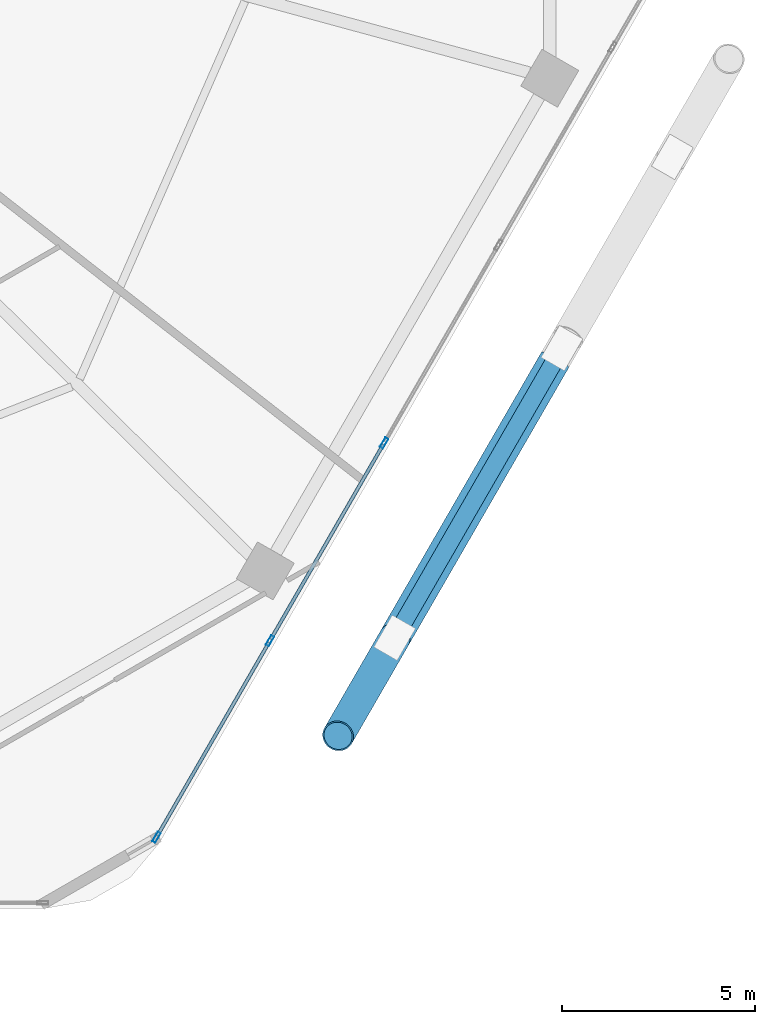
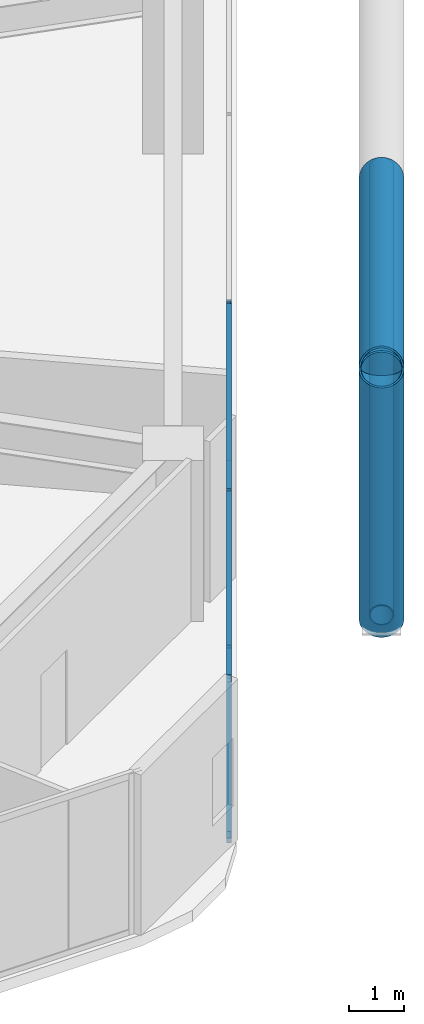
# One storey, part 9 of 34: 10 members, 1 element without a shape of its own.
"""IFC4 building model written with IfcOpenShell, lengths in metres."""

import ifcopenshell
import ifcopenshell.guid

model = None  # the IFC model being written
_history = None  # IfcOwnerHistory: only IFC2X3 demands one
_inside = {}  # id of a spatial element -> (the spatial element, [elements in it])
_under = {}  # id of a project, library or spatial element -> (it, [spatial elements below it])
_declared = {}  # id of a project -> (the project, [libraries it declares])
_typed = {}  # id of a type object -> (the type object, [elements of that type])
_made_of = {}  # id of a material, layer set ... -> (it, [elements and type objects made of it])


def new_model(schema):
    """Start an empty IFC model of exactly this schema.

    Asked for "IFC4X3", IfcOpenShell would pick the latest addendum, in which some entities
    have other attributes; the version numbers below select the first issue.
    IFC2X3 requires an IfcOwnerHistory on every rooted entity: one is made here for all.
    """
    global model, _history
    if schema == "IFC4X3":
        model = ifcopenshell.file(schema_version=(4, 3, 0, 0))
    else:
        model = ifcopenshell.file(schema=schema)
    _inside.clear()
    _under.clear()
    _declared.clear()
    _typed.clear()
    _made_of.clear()
    _history = None
    if model.schema == "IFC2X3":
        org = make("IfcOrganization", Name="unknown")
        user = make(
            "IfcPersonAndOrganization",
            ThePerson=make("IfcPerson", FamilyName="unknown"),
            TheOrganization=org,
        )
        app = make(
            "IfcApplication",
            ApplicationDeveloper=org,
            Version="unknown",
            ApplicationFullName="unknown",
            ApplicationIdentifier="unknown",
        )
        _history = make(
            "IfcOwnerHistory",
            OwningUser=user,
            OwningApplication=app,
            ChangeAction="ADDED",
            CreationDate=0,
        )
    return model


def make(cls, **values):
    """One entity of the class cls with the attributes given. An attribute that is None is left unset."""
    return model.create_entity(
        cls, **{name: value for name, value in values.items() if value is not None}
    )


def rooted(cls, **values):
    """An entity with a GlobalId (a new one), such as an element, a storey or a relation."""
    return make(cls, GlobalId=ifcopenshell.guid.new(), OwnerHistory=_history, **values)


def si_unit(unit_type, name, prefix=None):
    """IfcSIUnit, for example si_unit("LENGTHUNIT", "METRE", prefix="MILLI")."""
    return make("IfcSIUnit", UnitType=unit_type, Prefix=prefix, Name=name)


def assignment(units):
    """IfcUnitAssignment: the units of a project."""
    return None if units is None else make("IfcUnitAssignment", Units=units)


def point(xyz):
    """IfcCartesianPoint."""
    return None if xyz is None else make("IfcCartesianPoint", Coordinates=xyz)


def direction(xyz):
    """IfcDirection."""
    return None if xyz is None else make("IfcDirection", DirectionRatios=xyz)


def frame(location, z_axis=None, x_axis=None):
    """IfcAxis2Placement3D, a coordinate frame: its origin and axes. An axis left out is left unset."""
    return make(
        "IfcAxis2Placement3D",
        Location=point(location),
        Axis=direction(z_axis),
        RefDirection=direction(x_axis),
    )


def frame_2d(location, x_axis=None):
    """IfcAxis2Placement2D, a coordinate frame in the plane: its origin and x axis."""
    return make(
        "IfcAxis2Placement2D", Location=point(location), RefDirection=direction(x_axis)
    )


def origin():
    """The frame at (0, 0, 0) with its axes left unset."""
    return frame((0.0, 0.0, 0.0))


def origin_2d():
    """The frame at (0, 0) in the plane with its x axis left unset."""
    return frame_2d((0.0, 0.0))


def place(relative_to, where):
    """IfcLocalPlacement: puts the frame where relative to a parent placement (None: the world)."""
    return make(
        "IfcLocalPlacement", PlacementRelTo=relative_to, RelativePlacement=where
    )


def context(
    kind, dimensions, precision=None, world=None, true_north=None, identifier=None
):
    """IfcGeometricRepresentationContext, for example the 3D "Model" context."""
    return make(
        "IfcGeometricRepresentationContext",
        ContextIdentifier=identifier,
        ContextType=kind,
        CoordinateSpaceDimension=dimensions,
        Precision=precision,
        WorldCoordinateSystem=world,
        TrueNorth=true_north,
    )


def subcontext(parent, identifier, kind, view, scale=None):
    """IfcGeometricRepresentationSubContext, for example "Body" below "Model"."""
    return make(
        "IfcGeometricRepresentationSubContext",
        ContextIdentifier=identifier,
        ContextType=kind,
        ParentContext=parent,
        TargetScale=scale,
        TargetView=view,
    )


def project(units=None, contexts=None):
    """IfcProject with its units and contexts."""
    return rooted(
        "IfcProject",
        Name="project",
        RepresentationContexts=contexts,
        UnitsInContext=assignment(units),
    )


def spatial(cls, under=None, at=None, **own):
    """A site, building, storey or space (cls), placed at a placement, below another one or the project."""
    s = rooted(cls, ObjectPlacement=at, **own)
    if under is not None:
        _under.setdefault(under.id(), (under, []))[1].append(s)
    return s


def profile(cls, at=None, kind="AREA", **sizes):
    """A parametric profile (cls). Its sizes go by their IFC names, for example OverallWidth=200.0."""
    return make(cls, ProfileType=kind, Position=at, **sizes)


def hollow_rectangle(**sizes):
    """IfcRectangleHollowProfileDef."""
    return profile("IfcRectangleHollowProfileDef", **sizes)


def hollow_circle(**sizes):
    """IfcCircleHollowProfileDef."""
    return profile("IfcCircleHollowProfileDef", **sizes)


def extrude(swept, where, along, depth):
    """IfcExtrudedAreaSolid: the profile swept, set in the frame where, extruded along a direction by depth."""
    return make(
        "IfcExtrudedAreaSolid",
        SweptArea=swept,
        Position=where,
        ExtrudedDirection=direction(along),
        Depth=depth,
    )


def shape(context_of_items, identifier, shape_type, items):
    """IfcShapeRepresentation: the items that make up one representation, for example the "Body"."""
    return make(
        "IfcShapeRepresentation",
        ContextOfItems=context_of_items,
        RepresentationIdentifier=identifier,
        RepresentationType=shape_type,
        Items=items,
    )


def material(Name=None, Category=None):
    """IfcMaterial."""
    return make("IfcMaterial", Name=Name, Category=Category)


def material_profile(
    of_material, cross_section, Name=None, Category=None, Priority=None
):
    """IfcMaterialProfile: a cross section and its material."""
    return make(
        "IfcMaterialProfile",
        Name=Name,
        Material=of_material,
        Profile=cross_section,
        Priority=Priority,
        Category=Category,
    )


def profile_set(profiles, Name=None, composite=None):
    """IfcMaterialProfileSet."""
    return make(
        "IfcMaterialProfileSet",
        Name=Name,
        MaterialProfiles=profiles,
        CompositeProfile=composite,
    )


def made_of(thing, what):
    """Note that an element or type object is made of a material, layer set ...; save() writes the relation."""
    if what is not None:
        _made_of.setdefault(what.id(), (what, []))[1].append(thing)
    return thing


def type_object(cls, material=None, **own):
    """A type object (cls), such as IfcWallType, which elements share."""
    return made_of(rooted(cls, **own), material)


def element(
    cls,
    number,
    at=None,
    inside=None,
    cuts=None,
    type_object=None,
    material=None,
    context=None,
    identifier="Body",
    shape_type=None,
    held_by="IfcProductDefinitionShape",
    body=None,
    shapes=None,
    **own,
):
    """One element of the class cls, such as IfcWall. Its Tag is "e" and its number.

    at: its placement. inside: the storey or other place that contains it. cuts: it is an
    opening in that element (IfcRelVoidsElement). A single representation is given by context,
    identifier, shape_type and body (its items); several are given by shapes. held_by: the class
    of the entity that holds the representations. save() writes the other relations.
    """
    e = rooted(cls, Tag="e%d" % number, ObjectPlacement=at, **own)
    if body is not None:
        shapes = [shape(context, identifier, shape_type, body)]
    if shapes is not None:
        e.Representation = make(held_by, Representations=shapes)
    if inside is not None:
        _inside.setdefault(inside.id(), (inside, []))[1].append(e)
    if cuts is not None:
        rooted(
            "IfcRelVoidsElement", RelatingBuildingElement=cuts, RelatedOpeningElement=e
        )
    if type_object is not None:
        _typed.setdefault(type_object.id(), (type_object, []))[1].append(e)
    return made_of(e, material)


def aggregate(whole, parts):
    """IfcRelAggregates: a whole, such as a stair, and the parts it consists of."""
    return rooted("IfcRelAggregates", RelatingObject=whole, RelatedObjects=parts)


def save(model, path):
    """Write the relations noted so far, then the file.

    IfcRelAggregates (storeys below a building ...), IfcRelContainedInSpatialStructure (elements
    in a storey), IfcRelDefinesByType, IfcRelAssociatesMaterial and IfcRelDeclares: one each for
    every whole, place, type object, material and project.
    """
    for whole, parts in _under.values():
        aggregate(whole, parts)
    for where, things in _inside.values():
        rooted(
            "IfcRelContainedInSpatialStructure",
            RelatedElements=things,
            RelatingStructure=where,
        )
    for kind, things in _typed.values():
        rooted("IfcRelDefinesByType", RelatedObjects=things, RelatingType=kind)
    for what, things in _made_of.values():
        rooted("IfcRelAssociatesMaterial", RelatedObjects=things, RelatingMaterial=what)
    for by, libraries in _declared.values():
        rooted("IfcRelDeclares", RelatingContext=by, RelatedDefinitions=libraries)
    model.write(path)


model = new_model("IFC4")

# Units and contexts
model_context = context("Model", 3, precision=1e-05, world=origin(), true_north=direction((0.0, 1.0)))
body_context = subcontext(model_context, "Body", "Model", "MODEL_VIEW")
ifc_project = project(units=[si_unit("LENGTHUNIT", "METRE"), si_unit("AREAUNIT", "SQUARE_METRE"), si_unit("VOLUMEUNIT", "CUBIC_METRE"), si_unit("PLANEANGLEUNIT", "RADIAN"), si_unit("MASSUNIT", "GRAM", prefix="KILO")], contexts=[model_context])

# Site, building, storey
site_placement = place(None, origin())
site = spatial("IfcSite", under=ifc_project, at=site_placement, CompositionType="ELEMENT")
building_placement = place(site_placement, origin())
building = spatial("IfcBuilding", under=site, at=building_placement, Name="Zuhravey Tower", CompositionType="ELEMENT")
storey_placement = place(building_placement, frame((0.0, 0.0, 100.0)))
storey = spatial("IfcBuildingStorey", under=building, at=storey_placement, Name="L24", CompositionType="ELEMENT", Elevation=100.0)

# Curtain wall, members
ifc_material_1 = material(Name="Thermally broken anodised aluminium", Category="aluminium")
curtain_wall_type = type_object("IfcCurtainWallType", Name="Zone 1-2 Residential Curtain Wall CW3", PredefinedType="NOTDEFINED", material=ifc_material_1)
curtain_wall_placement = place(storey_placement, origin())
curtain_wall = element("IfcCurtainWall", 1, at=curtain_wall_placement, inside=storey, type_object=curtain_wall_type, Name="L24 CW3 CW-L24-F6-1", PredefinedType="NOTDEFINED")
ifc_material_2 = material(Name="Anodised aluminium", Category="aluminium")
ifc_material_profile_1 = material_profile(ifc_material_2, hollow_rectangle(XDim=0.090087890625, YDim=0.284912109375, WallThickness=0.0048828125, at=origin_2d()), Name="ALU-RHS-90x285x5")
ifc_profile_set_1 = profile_set([ifc_material_profile_1], Name="Anodised aluminium")
member_type_1 = type_object("IfcMemberType", Name="Curtain-Wall Mullion 90x180", PredefinedType="MULLION", material=ifc_profile_set_1)
member_1_placement = place(storey_placement, frame((59.598876953125, 14.95751953125, 0.0), z_axis=(0.0, 0.0, 1.0), x_axis=(0.86602552265, -0.499999794119, 0.0)))
member_1 = element("IfcMember", 2, at=member_1_placement, type_object=member_type_1, Name="CW3 mullion 4", PredefinedType="MULLION", context=body_context, shape_type="SweptSolid", body=[
    extrude(hollow_rectangle(XDim=0.090087890625, YDim=0.284912109375, WallThickness=0.0048828125, at=origin_2d()), origin(), (0.0, 0.0, 1.0), 3.550048828125),
])
member_2_placement = place(storey_placement, frame((56.638916015625, 9.830810546875, 0.0), z_axis=(0.0, 0.0, 1.0), x_axis=(0.86602552265, -0.499999794119, 0.0)))
member_2 = element("IfcMember", 3, at=member_2_placement, type_object=member_type_1, Name="CW3 mullion 5", PredefinedType="MULLION", context=body_context, shape_type="SweptSolid", body=[
    extrude(hollow_rectangle(XDim=0.090087890625, YDim=0.284912109375, WallThickness=0.0048828125, at=origin_2d()), origin(), (0.0, 0.0, 1.0), 3.550048828125),
])
member_3_placement = place(storey_placement, frame((53.701416015625, 4.742919921875, 0.0), z_axis=(0.0, 0.0, 1.0), x_axis=(0.86602552265, -0.499999794119, 0.0)))
member_3 = element("IfcMember", 4, at=member_3_placement, type_object=member_type_1, Name="CW3 mullion 6", PredefinedType="MULLION", context=body_context, shape_type="SweptSolid", body=[
    extrude(hollow_rectangle(XDim=0.090087890625, YDim=0.284912109375, WallThickness=0.0048828125, at=origin_2d()), origin(), (0.0, 0.0, 1.0), 3.550048828125),
])
ifc_material_profile_2 = material_profile(ifc_material_2, hollow_rectangle(XDim=0.090087890625, YDim=0.14990234375, WallThickness=0.0048828125, at=origin_2d()), Name="ALU-RHS-90x150x5")
ifc_profile_set_2 = profile_set([ifc_material_profile_2], Name="Anodised aluminium")
member_type_2 = type_object("IfcMemberType", Name="Curtain-Wall Transom 90x150", PredefinedType="USERDEFINED", material=ifc_profile_set_2)
member_4_placement = place(storey_placement, frame((59.576416015625, 14.91845703125, 0.044921875), z_axis=(-0.500012451049, -0.866018215049, 0.0), x_axis=(0.866018215049, -0.500012451049, 0.0)))
member_4 = element("IfcMember", 5, at=member_4_placement, type_object=member_type_2, Name="CW3 transom 4.1", ObjectType="TRANSOM", PredefinedType="USERDEFINED", context=body_context, shape_type="SweptSolid", body=[
    extrude(hollow_rectangle(XDim=0.090087890625, YDim=0.14990234375, WallThickness=0.0048828125, at=origin_2d()), origin(), (0.0, 0.0, 1.0), 5.829833984375),
])
member_5_placement = place(storey_placement, frame((59.576416015625, 14.91845703125, 3.5048828125), z_axis=(-0.500012451049, -0.866018215049, 0.0), x_axis=(0.866018215049, -0.500012451049, 0.0)))
member_5 = element("IfcMember", 6, at=member_5_placement, type_object=member_type_2, Name="CW3 transom 4.2", ObjectType="TRANSOM", PredefinedType="USERDEFINED", context=body_context, shape_type="SweptSolid", body=[
    extrude(hollow_rectangle(XDim=0.090087890625, YDim=0.14990234375, WallThickness=0.0048828125, at=origin_2d()), origin(), (0.0, 0.0, 1.0), 5.829833984375),
])
member_6_placement = place(storey_placement, frame((56.616455078125, 9.791748046875, 0.044921875), z_axis=(-0.499992798144, -0.866029561738, 0.0), x_axis=(0.866029561738, -0.499992798144, 0.0)))
member_6 = element("IfcMember", 7, at=member_6_placement, type_object=member_type_2, Name="CW3 transom 5.1", ObjectType="TRANSOM", PredefinedType="USERDEFINED", context=body_context, shape_type="SweptSolid", body=[
    extrude(hollow_rectangle(XDim=0.090087890625, YDim=0.14990234375, WallThickness=0.0048828125, at=origin_2d()), origin(), (0.0, 0.0, 1.0), 5.78466796875),
])
member_7_placement = place(storey_placement, frame((56.616455078125, 9.791748046875, 3.5048828125), z_axis=(-0.499992798144, -0.866029561738, 0.0), x_axis=(0.866029561738, -0.499992798144, 0.0)))
member_7 = element("IfcMember", 8, at=member_7_placement, type_object=member_type_2, Name="CW3 transom 5.2", ObjectType="TRANSOM", PredefinedType="USERDEFINED", context=body_context, shape_type="SweptSolid", body=[
    extrude(hollow_rectangle(XDim=0.090087890625, YDim=0.14990234375, WallThickness=0.0048828125, at=origin_2d()), origin(), (0.0, 0.0, 1.0), 5.78466796875),
])
aggregate(curtain_wall, [member_1, member_2, member_3, member_4, member_5, member_6, member_7])

# Members
ifc_material_3 = material(Name="Steel SM355", Category="steel")
ifc_material_profile_3 = material_profile(ifc_material_3, hollow_circle(Radius=0.228515625, WallThickness=0.02197265625, at=origin_2d()), Name="CHS-457.2x22")
ifc_profile_set_3 = profile_set([ifc_material_profile_3], Name="Steel SM355")
member_type_3 = type_object("IfcMemberType", Name="Exoskeleton Ring Tie CHS457x22", PredefinedType="CHORD", material=ifc_profile_set_3)
member_8_placement = place(storey_placement, frame((59.942138671875, 10.031982421875, -0.464111328125), z_axis=(0.499995593262, 0.866027948001, 0.0), x_axis=(-0.866027948001, 0.499995593262, 0.0)))
element("IfcMember", 9, at=member_8_placement, inside=storey, type_object=member_type_3, Name="L24 Exoskeleton Face 6 Tie EXR1", PredefinedType="CHORD", context=body_context, shape_type="SweptSolid", body=[
    extrude(hollow_circle(Radius=0.228515625, WallThickness=0.02197265625, at=origin_2d()), origin(), (0.0, 0.0, 1.0), 14.107666015625),
])
ifc_material_4 = material(Name="Steel SM460", Category="steel")
ifc_material_profile_4 = material_profile(ifc_material_4, hollow_circle(Radius=0.406494140625, WallThickness=0.035888671875, at=origin_2d()), Name="CHS-812.8x36")
ifc_profile_set_4 = profile_set([ifc_material_profile_4], Name="Steel SM460")
member_type_4 = type_object("IfcMemberType", Name="Exoskeleton Zone 1 Diagrid CHS813x36", PredefinedType="BRACE", material=ifc_profile_set_4)
member_9_placement = place(storey_placement, frame((59.867919921875, 9.9033203125, -0.44189453125), z_axis=(-0.180574288521, -0.312728273078, 0.932520216158), x_axis=(0.866000778371, -0.500042650041, 0.0)))
element("IfcMember", 10, at=member_9_placement, inside=storey, type_object=member_type_4, Name="L24 Face 6 Diagrid Brace 1", PredefinedType="BRACE", context=body_context, shape_type="SweptSolid", body=[
    extrude(hollow_circle(Radius=0.406494140625, WallThickness=0.035888671875, at=origin_2d()), origin(), (0.0, 0.0, 1.0), 8.102783203125),
])
member_10_placement = place(storey_placement, frame((64.016357421875, 17.0888671875, 3.459228515625), z_axis=(-0.475188029637, -0.823049078063, 0.311105370557), x_axis=(0.866025211119, -0.500000333706, 0.0)))
element("IfcMember", 11, at=member_10_placement, inside=storey, type_object=member_type_4, Name="L24 Face 6 Split Diagrid Brace 3B", PredefinedType="BRACE", context=body_context, shape_type="SweptSolid", body=[
    extrude(hollow_circle(Radius=0.406494140625, WallThickness=0.035888671875, at=origin_2d()), origin(), (0.0, 0.0, 1.0), 11.763427734375),
])

save(model, "model.ifc")
